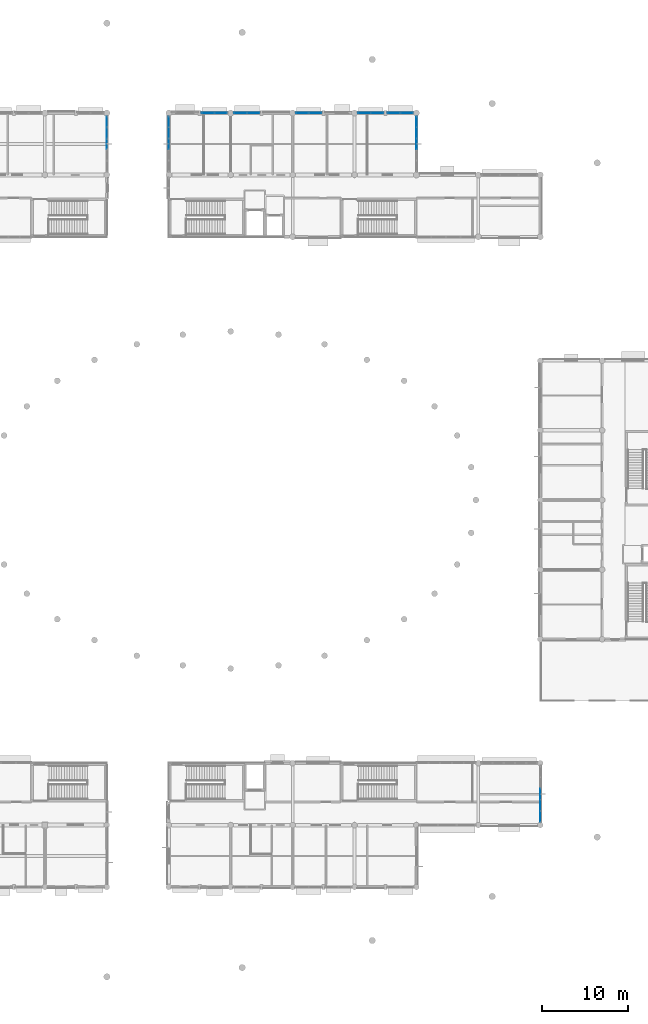
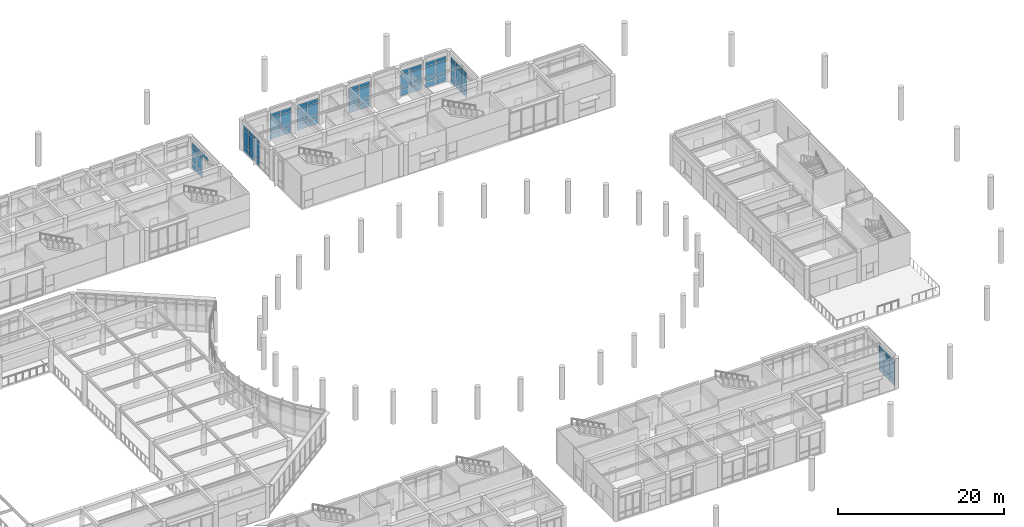
# One storey, part 43 of 92: 64 plates, 9 elements without a shape of their own.
"""IFC4 building model written with IfcOpenShell, lengths in metres."""

from ifc_helpers import new_model, si_unit, direction, frame, origin, origin_2d, place, context, subcontext, project, spatial, rectangle, extrude, material, layer, layer_set, type_object, element, aggregate, save


model = new_model("IFC4")

# Units and contexts
model_context = context("Model", 3, precision=1e-05, world=origin(), true_north=direction((0.0, 1.0)))
body_context = subcontext(model_context, "Body", "Model", "MODEL_VIEW")
ifc_project = project(units=[si_unit("LENGTHUNIT", "METRE"), si_unit("AREAUNIT", "SQUARE_METRE"), si_unit("VOLUMEUNIT", "CUBIC_METRE"), si_unit("PLANEANGLEUNIT", "RADIAN"), si_unit("MASSUNIT", "GRAM", prefix="KILO")], contexts=[model_context])

# Site, building, storey
site_placement = place(None, origin())
site = spatial("IfcSite", under=ifc_project, at=site_placement, CompositionType="ELEMENT")
building_placement = place(site_placement, origin())
building = spatial("IfcBuilding", under=site, at=building_placement, Name="Namkhue Oval Health Centre", CompositionType="ELEMENT")
storey_placement = place(building_placement, frame((0.0, 0.0, 4.800048828125)))
storey = spatial("IfcBuildingStorey", under=building, at=storey_placement, Name="L01", CompositionType="ELEMENT", Elevation=4.800048828125)

# Curtain wall, plates
ifc_material_1 = material(Name="Anodised aluminium EN AW-6063 T6", Category="aluminium")
ifc_layer_1 = layer(ifc_material_1, 0.159912109375)
ifc_layer_set_1 = layer_set([ifc_layer_1], Name="Anodised aluminium EN AW-6063 T6")
curtain_wall_type_1 = type_object("IfcCurtainWallType", Name="UNITISED CURTAIN WALL M1500", PredefinedType="NOTDEFINED", material=ifc_layer_set_1)
curtain_wall_1_placement = place(storey_placement, origin())
curtain_wall_1 = element("IfcCurtainWall", 1, at=curtain_wall_1_placement, inside=storey, type_object=curtain_wall_type_1, Name="Volume V3 L01 Unitised Curtain Wall 105", PredefinedType="NOTDEFINED")
ifc_material_2 = material(Name="Thermally broken low-E laminated double glazing", Category="glass")
ifc_layer_2 = layer(ifc_material_2, 0.02587890625)
ifc_layer_set_2 = layer_set([ifc_layer_2], Name="Thermally broken low-E laminated double glazing")
plate_type_1 = type_object("IfcPlateType", Name="CURTAIN WALL GLAZED PANEL 26", PredefinedType="CURTAIN_PANEL", material=ifc_layer_set_2)
plate_1_placement = place(storey_placement, frame((117.834228515625, 104.39990234375, 0.06494140625), z_axis=(0.0, 0.0, 1.0), x_axis=(-1.0, 0.0, 0.0)))
plate_1 = element("IfcPlate", 2, at=plate_1_placement, type_object=plate_type_1, Name="CW-03 panel 1.1", PredefinedType="CURTAIN_PANEL", context=body_context, shape_type="SweptSolid", body=[
    extrude(rectangle(XDim=1.429443359375, YDim=0.02587890625, at=origin_2d()), origin(), (0.0, 0.0, 1.0), 0.802490234375),
])
plate_2_placement = place(storey_placement, frame((117.834228515625, 104.39990234375, 0.9326171875), z_axis=(0.0, 0.0, 1.0), x_axis=(-1.0, 0.0, 0.0)))
plate_2 = element("IfcPlate", 3, at=plate_2_placement, type_object=plate_type_1, Name="CW-03 panel 1.2", PredefinedType="CURTAIN_PANEL", context=body_context, shape_type="SweptSolid", body=[
    extrude(rectangle(XDim=1.429443359375, YDim=0.02587890625, at=origin_2d()), origin(), (0.0, 0.0, 1.0), 2.264892578125),
])
plate_3_placement = place(storey_placement, frame((117.834228515625, 104.39990234375, 3.2626953125), z_axis=(0.0, 0.0, 1.0), x_axis=(-1.0, 0.0, 0.0)))
plate_3 = element("IfcPlate", 4, at=plate_3_placement, type_object=plate_type_1, Name="CW-03 panel 1.3", PredefinedType="CURTAIN_PANEL", context=body_context, shape_type="SweptSolid", body=[
    extrude(rectangle(XDim=1.429443359375, YDim=0.02587890625, at=origin_2d()), origin(), (0.0, 0.0, 1.0), 0.552490234375),
])
plate_4_placement = place(storey_placement, frame((116.33984375, 104.39990234375, 0.06494140625), z_axis=(0.0, 0.0, 1.0), x_axis=(-1.0, 0.0, 0.0)))
plate_4 = element("IfcPlate", 5, at=plate_4_placement, type_object=plate_type_1, Name="CW-03 panel 2.1", PredefinedType="CURTAIN_PANEL", context=body_context, shape_type="SweptSolid", body=[
    extrude(rectangle(XDim=1.429443359375, YDim=0.02587890625, at=origin_2d()), origin(), (0.0, 0.0, 1.0), 0.802490234375),
])
plate_5_placement = place(storey_placement, frame((116.33984375, 104.39990234375, 0.9326171875), z_axis=(0.0, 0.0, 1.0), x_axis=(-1.0, 0.0, 0.0)))
plate_5 = element("IfcPlate", 6, at=plate_5_placement, type_object=plate_type_1, Name="CW-03 panel 2.2", PredefinedType="CURTAIN_PANEL", context=body_context, shape_type="SweptSolid", body=[
    extrude(rectangle(XDim=1.429443359375, YDim=0.02587890625, at=origin_2d()), origin(), (0.0, 0.0, 1.0), 2.264892578125),
])
plate_6_placement = place(storey_placement, frame((116.33984375, 104.39990234375, 3.2626953125), z_axis=(0.0, 0.0, 1.0), x_axis=(-1.0, 0.0, 0.0)))
plate_6 = element("IfcPlate", 7, at=plate_6_placement, type_object=plate_type_1, Name="CW-03 panel 2.3", PredefinedType="CURTAIN_PANEL", context=body_context, shape_type="SweptSolid", body=[
    extrude(rectangle(XDim=1.429443359375, YDim=0.02587890625, at=origin_2d()), origin(), (0.0, 0.0, 1.0), 0.552490234375),
])
aggregate(curtain_wall_1, [plate_1, plate_2, plate_3, plate_4, plate_5, plate_6])

ifc_layer_3 = layer(ifc_material_1, 0.159912109375)
ifc_layer_set_3 = layer_set([ifc_layer_3], Name="Anodised aluminium EN AW-6063 T6")
curtain_wall_type_2 = type_object("IfcCurtainWallType", Name="UNITISED CURTAIN WALL M1200", PredefinedType="NOTDEFINED", material=ifc_layer_set_3)
curtain_wall_2_placement = place(storey_placement, origin())
curtain_wall_2 = element("IfcCurtainWall", 8, at=curtain_wall_2_placement, inside=storey, type_object=curtain_wall_type_2, Name="Volume V3 L01 Unitised Curtain Wall 109", PredefinedType="NOTDEFINED")
plate_7_placement = place(storey_placement, frame((93.60009765625, 103.375732421875, 0.06494140625), z_axis=(0.0, 0.0, 1.0), x_axis=(0.0, -1.0, 0.0)))
plate_7 = element("IfcPlate", 9, at=plate_7_placement, type_object=plate_type_1, Name="CW-01 panel 1.1", PredefinedType="CURTAIN_PANEL", context=body_context, shape_type="SweptSolid", body=[
    extrude(rectangle(XDim=1.198486328125, YDim=0.02587890625, at=origin_2d()), origin(), (0.0, 0.0, 1.0), 0.802490234375),
])
plate_8_placement = place(storey_placement, frame((93.60009765625, 103.375732421875, 0.9326171875), z_axis=(0.0, 0.0, 1.0), x_axis=(0.0, -1.0, 0.0)))
plate_8 = element("IfcPlate", 10, at=plate_8_placement, type_object=plate_type_1, Name="CW-01 panel 1.2", PredefinedType="CURTAIN_PANEL", context=body_context, shape_type="SweptSolid", body=[
    extrude(rectangle(XDim=1.198486328125, YDim=0.02587890625, at=origin_2d()), origin(), (0.0, 0.0, 1.0), 2.264892578125),
])
plate_9_placement = place(storey_placement, frame((93.60009765625, 103.375732421875, 3.2626953125), z_axis=(0.0, 0.0, 1.0), x_axis=(0.0, -1.0, 0.0)))
plate_9 = element("IfcPlate", 11, at=plate_9_placement, type_object=plate_type_1, Name="CW-01 panel 1.3", PredefinedType="CURTAIN_PANEL", context=body_context, shape_type="SweptSolid", body=[
    extrude(rectangle(XDim=1.198486328125, YDim=0.02587890625, at=origin_2d()), origin(), (0.0, 0.0, 1.0), 0.552490234375),
])
plate_10_placement = place(storey_placement, frame((93.60009765625, 102.095947265625, 0.06494140625), z_axis=(0.0, 0.0, 1.0), x_axis=(0.0, -1.0, 0.0)))
plate_10 = element("IfcPlate", 12, at=plate_10_placement, type_object=plate_type_1, Name="CW-01 panel 2.1", PredefinedType="CURTAIN_PANEL", context=body_context, shape_type="SweptSolid", body=[
    extrude(rectangle(XDim=1.23095703125, YDim=0.02587890625, at=origin_2d()), origin(), (0.0, 0.0, 1.0), 0.802490234375),
])
plate_11_placement = place(storey_placement, frame((93.60009765625, 102.095947265625, 0.9326171875), z_axis=(0.0, 0.0, 1.0), x_axis=(0.0, -1.0, 0.0)))
plate_11 = element("IfcPlate", 13, at=plate_11_placement, type_object=plate_type_1, Name="CW-01 panel 2.2", PredefinedType="CURTAIN_PANEL", context=body_context, shape_type="SweptSolid", body=[
    extrude(rectangle(XDim=1.23095703125, YDim=0.02587890625, at=origin_2d()), origin(), (0.0, 0.0, 1.0), 2.264892578125),
])
plate_12_placement = place(storey_placement, frame((93.60009765625, 102.095947265625, 3.2626953125), z_axis=(0.0, 0.0, 1.0), x_axis=(0.0, -1.0, 0.0)))
plate_12 = element("IfcPlate", 14, at=plate_12_placement, type_object=plate_type_1, Name="CW-01 panel 2.3", PredefinedType="CURTAIN_PANEL", context=body_context, shape_type="SweptSolid", body=[
    extrude(rectangle(XDim=1.23095703125, YDim=0.02587890625, at=origin_2d()), origin(), (0.0, 0.0, 1.0), 0.552490234375),
])
plate_13_placement = place(storey_placement, frame((93.60009765625, 100.800048828125, 0.06494140625), z_axis=(0.0, 0.0, 1.0), x_axis=(0.0, -1.0, 0.0)))
plate_13 = element("IfcPlate", 15, at=plate_13_placement, type_object=plate_type_1, Name="CW-01 panel 3.1", PredefinedType="CURTAIN_PANEL", context=body_context, shape_type="SweptSolid", body=[
    extrude(rectangle(XDim=1.23095703125, YDim=0.02587890625, at=origin_2d()), origin(), (0.0, 0.0, 1.0), 0.802490234375),
])
plate_14_placement = place(storey_placement, frame((93.60009765625, 100.800048828125, 0.9326171875), z_axis=(0.0, 0.0, 1.0), x_axis=(0.0, -1.0, 0.0)))
plate_14 = element("IfcPlate", 16, at=plate_14_placement, type_object=plate_type_1, Name="CW-01 panel 3.2", PredefinedType="CURTAIN_PANEL", context=body_context, shape_type="SweptSolid", body=[
    extrude(rectangle(XDim=1.23095703125, YDim=0.02587890625, at=origin_2d()), origin(), (0.0, 0.0, 1.0), 2.264892578125),
])
plate_15_placement = place(storey_placement, frame((93.60009765625, 100.800048828125, 3.2626953125), z_axis=(0.0, 0.0, 1.0), x_axis=(0.0, -1.0, 0.0)))
plate_15 = element("IfcPlate", 17, at=plate_15_placement, type_object=plate_type_1, Name="CW-01 panel 3.3", PredefinedType="CURTAIN_PANEL", context=body_context, shape_type="SweptSolid", body=[
    extrude(rectangle(XDim=1.23095703125, YDim=0.02587890625, at=origin_2d()), origin(), (0.0, 0.0, 1.0), 0.552490234375),
])
aggregate(curtain_wall_2, [plate_7, plate_8, plate_9, plate_10, plate_11, plate_12, plate_13, plate_14, plate_15])

curtain_wall_3_placement = place(storey_placement, origin())
curtain_wall_3 = element("IfcCurtainWall", 18, at=curtain_wall_3_placement, inside=storey, type_object=curtain_wall_type_2, Name="Volume V5 L01 Unitised Curtain Wall 193", PredefinedType="NOTDEFINED")
plate_16_placement = place(storey_placement, frame((136.800048828125, 22.604248046875, 0.06494140625), z_axis=(0.0, 0.0, 1.0), x_axis=(0.0, 1.0, 0.0)))
plate_16 = element("IfcPlate", 19, at=plate_16_placement, type_object=plate_type_1, Name="CW-01 panel 1.1", PredefinedType="CURTAIN_PANEL", context=body_context, shape_type="SweptSolid", body=[
    extrude(rectangle(XDim=1.20849609375, YDim=0.02587890625, at=origin_2d()), origin(), (0.0, 0.0, 1.0), 0.802490234375),
])
plate_17_placement = place(storey_placement, frame((136.800048828125, 22.604248046875, 0.932373046875), z_axis=(0.0, 0.0, 1.0), x_axis=(0.0, 1.0, 0.0)))
plate_17 = element("IfcPlate", 20, at=plate_17_placement, type_object=plate_type_1, Name="CW-01 panel 1.2", PredefinedType="CURTAIN_PANEL", context=body_context, shape_type="SweptSolid", body=[
    extrude(rectangle(XDim=1.20849609375, YDim=0.02587890625, at=origin_2d()), origin(), (0.0, 0.0, 1.0), 2.27294921875),
])
plate_18_placement = place(storey_placement, frame((136.800048828125, 22.604248046875, 3.2705078125), z_axis=(0.0, 0.0, 1.0), x_axis=(0.0, 1.0, 0.0)))
plate_18 = element("IfcPlate", 21, at=plate_18_placement, type_object=plate_type_1, Name="CW-01 panel 1.3", PredefinedType="CURTAIN_PANEL", context=body_context, shape_type="SweptSolid", body=[
    extrude(rectangle(XDim=1.20849609375, YDim=0.02587890625, at=origin_2d()), origin(), (0.0, 0.0, 1.0), 0.552490234375),
])
plate_19_placement = place(storey_placement, frame((136.800048828125, 23.89404296875, 0.06494140625), z_axis=(0.0, 0.0, 1.0), x_axis=(0.0, 1.0, 0.0)))
plate_19 = element("IfcPlate", 22, at=plate_19_placement, type_object=plate_type_1, Name="CW-01 panel 2.1", PredefinedType="CURTAIN_PANEL", context=body_context, shape_type="SweptSolid", body=[
    extrude(rectangle(XDim=1.240966796875, YDim=0.02587890625, at=origin_2d()), origin(), (0.0, 0.0, 1.0), 0.802490234375),
])
plate_20_placement = place(storey_placement, frame((136.800048828125, 23.89404296875, 0.932373046875), z_axis=(0.0, 0.0, 1.0), x_axis=(0.0, 1.0, 0.0)))
plate_20 = element("IfcPlate", 23, at=plate_20_placement, type_object=plate_type_1, Name="CW-01 panel 2.2", PredefinedType="CURTAIN_PANEL", context=body_context, shape_type="SweptSolid", body=[
    extrude(rectangle(XDim=1.240966796875, YDim=0.02587890625, at=origin_2d()), origin(), (0.0, 0.0, 1.0), 2.27294921875),
])
plate_21_placement = place(storey_placement, frame((136.800048828125, 23.89404296875, 3.2705078125), z_axis=(0.0, 0.0, 1.0), x_axis=(0.0, 1.0, 0.0)))
plate_21 = element("IfcPlate", 24, at=plate_21_placement, type_object=plate_type_1, Name="CW-01 panel 2.3", PredefinedType="CURTAIN_PANEL", context=body_context, shape_type="SweptSolid", body=[
    extrude(rectangle(XDim=1.240966796875, YDim=0.02587890625, at=origin_2d()), origin(), (0.0, 0.0, 1.0), 0.552490234375),
])
plate_22_placement = place(storey_placement, frame((136.800048828125, 25.199951171875, 0.06494140625), z_axis=(0.0, 0.0, 1.0), x_axis=(0.0, 1.0, 0.0)))
plate_22 = element("IfcPlate", 25, at=plate_22_placement, type_object=plate_type_1, Name="CW-01 panel 3.1", PredefinedType="CURTAIN_PANEL", context=body_context, shape_type="SweptSolid", body=[
    extrude(rectangle(XDim=1.240966796875, YDim=0.02587890625, at=origin_2d()), origin(), (0.0, 0.0, 1.0), 0.802490234375),
])
plate_23_placement = place(storey_placement, frame((136.800048828125, 25.199951171875, 0.932373046875), z_axis=(0.0, 0.0, 1.0), x_axis=(0.0, 1.0, 0.0)))
plate_23 = element("IfcPlate", 26, at=plate_23_placement, type_object=plate_type_1, Name="CW-01 panel 3.2", PredefinedType="CURTAIN_PANEL", context=body_context, shape_type="SweptSolid", body=[
    extrude(rectangle(XDim=1.240966796875, YDim=0.02587890625, at=origin_2d()), origin(), (0.0, 0.0, 1.0), 2.27294921875),
])
plate_24_placement = place(storey_placement, frame((136.800048828125, 25.199951171875, 3.2705078125), z_axis=(0.0, 0.0, 1.0), x_axis=(0.0, 1.0, 0.0)))
plate_24 = element("IfcPlate", 27, at=plate_24_placement, type_object=plate_type_1, Name="CW-01 panel 3.3", PredefinedType="CURTAIN_PANEL", context=body_context, shape_type="SweptSolid", body=[
    extrude(rectangle(XDim=1.240966796875, YDim=0.02587890625, at=origin_2d()), origin(), (0.0, 0.0, 1.0), 0.552490234375),
])
aggregate(curtain_wall_3, [plate_16, plate_17, plate_18, plate_19, plate_20, plate_21, plate_22, plate_23, plate_24])

ifc_layer_4 = layer(ifc_material_1, 0.159912109375)
ifc_layer_set_4 = layer_set([ifc_layer_4], Name="Anodised aluminium EN AW-6063 T6")
curtain_wall_type_3 = type_object("IfcCurtainWallType", Name="UNITISED CURTAIN WALL M1350", PredefinedType="NOTDEFINED", material=ifc_layer_set_4)
curtain_wall_4_placement = place(storey_placement, origin())
curtain_wall_4 = element("IfcCurtainWall", 28, at=curtain_wall_4_placement, inside=storey, type_object=curtain_wall_type_3, Name="Volume V2 L01 Unitised Curtain Wall 50", PredefinedType="NOTDEFINED")
ifc_layer_5 = layer(ifc_material_2, 0.028076171875)
ifc_layer_set_5 = layer_set([ifc_layer_5], Name="Thermally broken low-E laminated double glazing")
plate_type_2 = type_object("IfcPlateType", Name="CURTAIN WALL GLAZED PANEL 28", PredefinedType="CURTAIN_PANEL", material=ifc_layer_set_5)
plate_25_placement = place(storey_placement, frame((86.39990234375, 100.800048828125, 3.29248046875), z_axis=(0.0, 0.0, 1.0), x_axis=(0.0, 1.0, 0.0)))
plate_25 = element("IfcPlate", 29, at=plate_25_placement, type_object=plate_type_2, Name="CW-02 panel 3.3", PredefinedType="CURTAIN_PANEL", context=body_context, shape_type="SweptSolid", body=[
    extrude(rectangle(XDim=1.220947265625, YDim=0.028076171875, at=origin_2d()), origin(), (0.0, 0.0, 1.0), 0.53759765625),
])
plate_26_placement = place(storey_placement, frame((86.39990234375, 102.095947265625, 0.074951171875), z_axis=(0.0, 0.0, 1.0), x_axis=(0.0, 1.0, 0.0)))
plate_26 = element("IfcPlate", 30, at=plate_26_placement, type_object=plate_type_2, Name="CW-02 panel 4.1", PredefinedType="CURTAIN_PANEL", context=body_context, shape_type="SweptSolid", body=[
    extrude(rectangle(XDim=1.220947265625, YDim=0.028076171875, at=origin_2d()), origin(), (0.0, 0.0, 1.0), 0.78759765625),
])
plate_27_placement = place(storey_placement, frame((86.39990234375, 102.095947265625, 0.9375), z_axis=(0.0, 0.0, 1.0), x_axis=(0.0, 1.0, 0.0)))
plate_27 = element("IfcPlate", 31, at=plate_27_placement, type_object=plate_type_2, Name="CW-02 panel 4.2", PredefinedType="CURTAIN_PANEL", context=body_context, shape_type="SweptSolid", body=[
    extrude(rectangle(XDim=1.220947265625, YDim=0.028076171875, at=origin_2d()), origin(), (0.0, 0.0, 1.0), 2.280029296875),
])
plate_28_placement = place(storey_placement, frame((86.39990234375, 102.095947265625, 3.29248046875), z_axis=(0.0, 0.0, 1.0), x_axis=(0.0, 1.0, 0.0)))
plate_28 = element("IfcPlate", 32, at=plate_28_placement, type_object=plate_type_2, Name="CW-02 panel 4.3", PredefinedType="CURTAIN_PANEL", context=body_context, shape_type="SweptSolid", body=[
    extrude(rectangle(XDim=1.220947265625, YDim=0.028076171875, at=origin_2d()), origin(), (0.0, 0.0, 1.0), 0.53759765625),
])
plate_29_placement = place(storey_placement, frame((86.39990234375, 103.373291015625, 0.074951171875), z_axis=(0.0, 0.0, 1.0), x_axis=(0.0, 1.0, 0.0)))
plate_29 = element("IfcPlate", 33, at=plate_29_placement, type_object=plate_type_2, Name="CW-02 panel 5.1", PredefinedType="CURTAIN_PANEL", context=body_context, shape_type="SweptSolid", body=[
    extrude(rectangle(XDim=1.18359375, YDim=0.028076171875, at=origin_2d()), origin(), (0.0, 0.0, 1.0), 0.78759765625),
])
plate_30_placement = place(storey_placement, frame((86.39990234375, 103.373291015625, 0.9375), z_axis=(0.0, 0.0, 1.0), x_axis=(0.0, 1.0, 0.0)))
plate_30 = element("IfcPlate", 34, at=plate_30_placement, type_object=plate_type_2, Name="CW-02 panel 5.2", PredefinedType="CURTAIN_PANEL", context=body_context, shape_type="SweptSolid", body=[
    extrude(rectangle(XDim=1.18359375, YDim=0.028076171875, at=origin_2d()), origin(), (0.0, 0.0, 1.0), 2.280029296875),
])
plate_31_placement = place(storey_placement, frame((86.39990234375, 103.373291015625, 3.29248046875), z_axis=(0.0, 0.0, 1.0), x_axis=(0.0, 1.0, 0.0)))
plate_31 = element("IfcPlate", 35, at=plate_31_placement, type_object=plate_type_2, Name="CW-02 panel 5.3", PredefinedType="CURTAIN_PANEL", context=body_context, shape_type="SweptSolid", body=[
    extrude(rectangle(XDim=1.18359375, YDim=0.028076171875, at=origin_2d()), origin(), (0.0, 0.0, 1.0), 0.53759765625),
])
aggregate(curtain_wall_4, [plate_25, plate_26, plate_27, plate_28, plate_29, plate_30, plate_31])

ifc_layer_6 = layer(ifc_material_1, 0.159912109375)
ifc_layer_set_6 = layer_set([ifc_layer_6], Name="Anodised aluminium EN AW-6063 T6")
curtain_wall_type_4 = type_object("IfcCurtainWallType", Name="UNITISED CURTAIN WALL M1600", PredefinedType="NOTDEFINED", material=ifc_layer_set_6)
curtain_wall_5_placement = place(storey_placement, origin())
curtain_wall_5 = element("IfcCurtainWall", 36, at=curtain_wall_5_placement, inside=storey, type_object=curtain_wall_type_4, Name="Volume V3 L01 Unitised Curtain Wall 106", PredefinedType="NOTDEFINED")
plate_32_placement = place(storey_placement, frame((110.6318359375, 104.39990234375, 0.074951171875), z_axis=(0.0, 0.0, 1.0), x_axis=(-1.0, 0.0, 0.0)))
plate_32 = element("IfcPlate", 37, at=plate_32_placement, type_object=plate_type_2, Name="CW-04 panel 1.1", PredefinedType="CURTAIN_PANEL", context=body_context, shape_type="SweptSolid", body=[
    extrude(rectangle(XDim=1.41455078125, YDim=0.028076171875, at=origin_2d()), origin(), (0.0, 0.0, 1.0), 0.78759765625),
])
plate_33_placement = place(storey_placement, frame((110.6318359375, 104.39990234375, 0.9375), z_axis=(0.0, 0.0, 1.0), x_axis=(-1.0, 0.0, 0.0)))
plate_33 = element("IfcPlate", 38, at=plate_33_placement, type_object=plate_type_2, Name="CW-04 panel 1.2", PredefinedType="CURTAIN_PANEL", context=body_context, shape_type="SweptSolid", body=[
    extrude(rectangle(XDim=1.41455078125, YDim=0.028076171875, at=origin_2d()), origin(), (0.0, 0.0, 1.0), 2.2548828125),
])
plate_34_placement = place(storey_placement, frame((110.6318359375, 104.39990234375, 3.267333984375), z_axis=(0.0, 0.0, 1.0), x_axis=(-1.0, 0.0, 0.0)))
plate_34 = element("IfcPlate", 39, at=plate_34_placement, type_object=plate_type_2, Name="CW-04 panel 1.3", PredefinedType="CURTAIN_PANEL", context=body_context, shape_type="SweptSolid", body=[
    extrude(rectangle(XDim=1.41455078125, YDim=0.028076171875, at=origin_2d()), origin(), (0.0, 0.0, 1.0), 0.53759765625),
])
plate_35_placement = place(storey_placement, frame((109.142333984375, 104.39990234375, 0.074951171875), z_axis=(0.0, 0.0, 1.0), x_axis=(-1.0, 0.0, 0.0)))
plate_35 = element("IfcPlate", 40, at=plate_35_placement, type_object=plate_type_2, Name="CW-04 panel 2.1", PredefinedType="CURTAIN_PANEL", context=body_context, shape_type="SweptSolid", body=[
    extrude(rectangle(XDim=1.41455078125, YDim=0.028076171875, at=origin_2d()), origin(), (0.0, 0.0, 1.0), 0.78759765625),
])
plate_36_placement = place(storey_placement, frame((109.142333984375, 104.39990234375, 0.9375), z_axis=(0.0, 0.0, 1.0), x_axis=(-1.0, 0.0, 0.0)))
plate_36 = element("IfcPlate", 41, at=plate_36_placement, type_object=plate_type_2, Name="CW-04 panel 2.2", PredefinedType="CURTAIN_PANEL", context=body_context, shape_type="SweptSolid", body=[
    extrude(rectangle(XDim=1.41455078125, YDim=0.028076171875, at=origin_2d()), origin(), (0.0, 0.0, 1.0), 2.2548828125),
])
plate_37_placement = place(storey_placement, frame((109.142333984375, 104.39990234375, 3.267333984375), z_axis=(0.0, 0.0, 1.0), x_axis=(-1.0, 0.0, 0.0)))
plate_37 = element("IfcPlate", 42, at=plate_37_placement, type_object=plate_type_2, Name="CW-04 panel 2.3", PredefinedType="CURTAIN_PANEL", context=body_context, shape_type="SweptSolid", body=[
    extrude(rectangle(XDim=1.41455078125, YDim=0.028076171875, at=origin_2d()), origin(), (0.0, 0.0, 1.0), 0.53759765625),
])
aggregate(curtain_wall_5, [plate_32, plate_33, plate_34, plate_35, plate_36, plate_37])

curtain_wall_6_placement = place(storey_placement, origin())
curtain_wall_6 = element("IfcCurtainWall", 43, at=curtain_wall_6_placement, inside=storey, type_object=curtain_wall_type_2, Name="Volume V3 L01 Unitised Curtain Wall 103", PredefinedType="NOTDEFINED")
ifc_material_3 = material(Name="Insulated anodised aluminium spandrel panel", Category="aluminium")
ifc_layer_7 = layer(ifc_material_3, 0.031982421875)
ifc_layer_set_7 = layer_set([ifc_layer_7], Name="Insulated anodised aluminium spandrel panel")
plate_type_3 = type_object("IfcPlateType", Name="CURTAIN WALL SPANDREL PANEL 32", PredefinedType="CURTAIN_PANEL", material=ifc_layer_set_7)
plate_38_placement = place(storey_placement, frame((122.39990234375, 100.800048828125, 0.06494140625), z_axis=(0.0, 0.0, 1.0), x_axis=(0.0, 1.0, 0.0)))
plate_38 = element("IfcPlate", 44, at=plate_38_placement, type_object=plate_type_3, Name="CW-01 panel 3.1", PredefinedType="CURTAIN_PANEL", context=body_context, shape_type="SweptSolid", body=[
    extrude(rectangle(XDim=1.23095703125, YDim=0.031982421875, at=origin_2d()), origin(), (0.0, 0.0, 1.0), 0.802490234375),
])
plate_39_placement = place(storey_placement, frame((122.39990234375, 100.800048828125, 0.9326171875), z_axis=(0.0, 0.0, 1.0), x_axis=(0.0, 1.0, 0.0)))
plate_39 = element("IfcPlate", 45, at=plate_39_placement, type_object=plate_type_3, Name="CW-01 panel 3.2", PredefinedType="CURTAIN_PANEL", context=body_context, shape_type="SweptSolid", body=[
    extrude(rectangle(XDim=1.23095703125, YDim=0.031982421875, at=origin_2d()), origin(), (0.0, 0.0, 1.0), 2.264892578125),
])
plate_40_placement = place(storey_placement, frame((122.39990234375, 100.800048828125, 3.2626953125), z_axis=(0.0, 0.0, 1.0), x_axis=(0.0, 1.0, 0.0)))
plate_40 = element("IfcPlate", 46, at=plate_40_placement, type_object=plate_type_3, Name="CW-01 panel 3.3", PredefinedType="CURTAIN_PANEL", context=body_context, shape_type="SweptSolid", body=[
    extrude(rectangle(XDim=1.23095703125, YDim=0.031982421875, at=origin_2d()), origin(), (0.0, 0.0, 1.0), 0.552490234375),
])
plate_41_placement = place(storey_placement, frame((122.39990234375, 102.095947265625, 0.06494140625), z_axis=(0.0, 0.0, 1.0), x_axis=(0.0, 1.0, 0.0)))
plate_41 = element("IfcPlate", 47, at=plate_41_placement, type_object=plate_type_3, Name="CW-01 panel 4.1", PredefinedType="CURTAIN_PANEL", context=body_context, shape_type="SweptSolid", body=[
    extrude(rectangle(XDim=1.23095703125, YDim=0.031982421875, at=origin_2d()), origin(), (0.0, 0.0, 1.0), 0.802490234375),
])
plate_42_placement = place(storey_placement, frame((122.39990234375, 102.095947265625, 0.9326171875), z_axis=(0.0, 0.0, 1.0), x_axis=(0.0, 1.0, 0.0)))
plate_42 = element("IfcPlate", 48, at=plate_42_placement, type_object=plate_type_3, Name="CW-01 panel 4.2", PredefinedType="CURTAIN_PANEL", context=body_context, shape_type="SweptSolid", body=[
    extrude(rectangle(XDim=1.23095703125, YDim=0.031982421875, at=origin_2d()), origin(), (0.0, 0.0, 1.0), 2.264892578125),
])
plate_43_placement = place(storey_placement, frame((122.39990234375, 102.095947265625, 3.2626953125), z_axis=(0.0, 0.0, 1.0), x_axis=(0.0, 1.0, 0.0)))
plate_43 = element("IfcPlate", 49, at=plate_43_placement, type_object=plate_type_3, Name="CW-01 panel 4.3", PredefinedType="CURTAIN_PANEL", context=body_context, shape_type="SweptSolid", body=[
    extrude(rectangle(XDim=1.23095703125, YDim=0.031982421875, at=origin_2d()), origin(), (0.0, 0.0, 1.0), 0.552490234375),
])
plate_44_placement = place(storey_placement, frame((122.39990234375, 103.375732421875, 0.06494140625), z_axis=(0.0, 0.0, 1.0), x_axis=(0.0, 1.0, 0.0)))
plate_44 = element("IfcPlate", 50, at=plate_44_placement, type_object=plate_type_3, Name="CW-01 panel 5.1", PredefinedType="CURTAIN_PANEL", context=body_context, shape_type="SweptSolid", body=[
    extrude(rectangle(XDim=1.198486328125, YDim=0.031982421875, at=origin_2d()), origin(), (0.0, 0.0, 1.0), 0.802490234375),
])
plate_45_placement = place(storey_placement, frame((122.39990234375, 103.375732421875, 0.9326171875), z_axis=(0.0, 0.0, 1.0), x_axis=(0.0, 1.0, 0.0)))
plate_45 = element("IfcPlate", 51, at=plate_45_placement, type_object=plate_type_3, Name="CW-01 panel 5.2", PredefinedType="CURTAIN_PANEL", context=body_context, shape_type="SweptSolid", body=[
    extrude(rectangle(XDim=1.198486328125, YDim=0.031982421875, at=origin_2d()), origin(), (0.0, 0.0, 1.0), 2.264892578125),
])
plate_46_placement = place(storey_placement, frame((122.39990234375, 103.375732421875, 3.2626953125), z_axis=(0.0, 0.0, 1.0), x_axis=(0.0, 1.0, 0.0)))
plate_46 = element("IfcPlate", 52, at=plate_46_placement, type_object=plate_type_3, Name="CW-01 panel 5.3", PredefinedType="CURTAIN_PANEL", context=body_context, shape_type="SweptSolid", body=[
    extrude(rectangle(XDim=1.198486328125, YDim=0.031982421875, at=origin_2d()), origin(), (0.0, 0.0, 1.0), 0.552490234375),
])
aggregate(curtain_wall_6, [plate_38, plate_39, plate_40, plate_41, plate_42, plate_43, plate_44, plate_45, plate_46])

ifc_layer_8 = layer(ifc_material_1, 0.159912109375)
ifc_layer_set_8 = layer_set([ifc_layer_8], Name="Anodised aluminium EN AW-6063 T6")
curtain_wall_type_5 = type_object("IfcCurtainWallType", Name="UNITISED CURTAIN WALL M1800", PredefinedType="NOTDEFINED", material=ifc_layer_set_8)
curtain_wall_7_placement = place(storey_placement, origin())
curtain_wall_7 = element("IfcCurtainWall", 53, at=curtain_wall_7_placement, inside=storey, type_object=curtain_wall_type_5, Name="Volume V3 L01 Unitised Curtain Wall 107", PredefinedType="NOTDEFINED")
plate_47_placement = place(storey_placement, frame((103.434326171875, 104.39990234375, 0.06494140625), z_axis=(0.0, 0.0, 1.0), x_axis=(-1.0, 0.0, 0.0)))
plate_47 = element("IfcPlate", 54, at=plate_47_placement, type_object=plate_type_3, Name="CW-05 panel 1.1", PredefinedType="CURTAIN_PANEL", context=body_context, shape_type="SweptSolid", body=[
    extrude(rectangle(XDim=1.429443359375, YDim=0.031982421875, at=origin_2d()), origin(), (0.0, 0.0, 1.0), 0.802490234375),
])
plate_48_placement = place(storey_placement, frame((103.434326171875, 104.39990234375, 0.9326171875), z_axis=(0.0, 0.0, 1.0), x_axis=(-1.0, 0.0, 0.0)))
plate_48 = element("IfcPlate", 55, at=plate_48_placement, type_object=plate_type_3, Name="CW-05 panel 1.2", PredefinedType="CURTAIN_PANEL", context=body_context, shape_type="SweptSolid", body=[
    extrude(rectangle(XDim=1.429443359375, YDim=0.031982421875, at=origin_2d()), origin(), (0.0, 0.0, 1.0), 2.264892578125),
])
plate_49_placement = place(storey_placement, frame((103.434326171875, 104.39990234375, 3.2626953125), z_axis=(0.0, 0.0, 1.0), x_axis=(-1.0, 0.0, 0.0)))
plate_49 = element("IfcPlate", 56, at=plate_49_placement, type_object=plate_type_3, Name="CW-05 panel 1.3", PredefinedType="CURTAIN_PANEL", context=body_context, shape_type="SweptSolid", body=[
    extrude(rectangle(XDim=1.429443359375, YDim=0.031982421875, at=origin_2d()), origin(), (0.0, 0.0, 1.0), 0.552490234375),
])
plate_50_placement = place(storey_placement, frame((101.939697265625, 104.39990234375, 0.06494140625), z_axis=(0.0, 0.0, 1.0), x_axis=(-1.0, 0.0, 0.0)))
plate_50 = element("IfcPlate", 57, at=plate_50_placement, type_object=plate_type_3, Name="CW-05 panel 2.1", PredefinedType="CURTAIN_PANEL", context=body_context, shape_type="SweptSolid", body=[
    extrude(rectangle(XDim=1.429443359375, YDim=0.031982421875, at=origin_2d()), origin(), (0.0, 0.0, 1.0), 0.802490234375),
])
plate_51_placement = place(storey_placement, frame((101.939697265625, 104.39990234375, 0.9326171875), z_axis=(0.0, 0.0, 1.0), x_axis=(-1.0, 0.0, 0.0)))
plate_51 = element("IfcPlate", 58, at=plate_51_placement, type_object=plate_type_3, Name="CW-05 panel 2.2", PredefinedType="CURTAIN_PANEL", context=body_context, shape_type="SweptSolid", body=[
    extrude(rectangle(XDim=1.429443359375, YDim=0.031982421875, at=origin_2d()), origin(), (0.0, 0.0, 1.0), 2.264892578125),
])
plate_52_placement = place(storey_placement, frame((101.939697265625, 104.39990234375, 3.2626953125), z_axis=(0.0, 0.0, 1.0), x_axis=(-1.0, 0.0, 0.0)))
plate_52 = element("IfcPlate", 59, at=plate_52_placement, type_object=plate_type_3, Name="CW-05 panel 2.3", PredefinedType="CURTAIN_PANEL", context=body_context, shape_type="SweptSolid", body=[
    extrude(rectangle(XDim=1.429443359375, YDim=0.031982421875, at=origin_2d()), origin(), (0.0, 0.0, 1.0), 0.552490234375),
])
aggregate(curtain_wall_7, [plate_47, plate_48, plate_49, plate_50, plate_51, plate_52])

curtain_wall_8_placement = place(storey_placement, origin())
curtain_wall_8 = element("IfcCurtainWall", 60, at=curtain_wall_8_placement, inside=storey, type_object=curtain_wall_type_3, Name="Volume V3 L01 Unitised Curtain Wall 104", PredefinedType="NOTDEFINED")
ifc_layer_9 = layer(ifc_material_3, 0.035888671875)
ifc_layer_set_9 = layer_set([ifc_layer_9], Name="Insulated anodised aluminium spandrel panel")
plate_type_4 = type_object("IfcPlateType", Name="CURTAIN WALL SPANDREL PANEL 36", PredefinedType="CURTAIN_PANEL", material=ifc_layer_set_9)
plate_53_placement = place(storey_placement, frame((121.2578125, 104.39990234375, 0.074951171875), z_axis=(0.0, 0.0, 1.0), x_axis=(-1.0, 0.0, 0.0)))
plate_53 = element("IfcPlate", 61, at=plate_53_placement, type_object=plate_type_4, Name="CW-02 panel 1.1", PredefinedType="CURTAIN_PANEL", context=body_context, shape_type="SweptSolid", body=[
    extrude(rectangle(XDim=1.41455078125, YDim=0.035888671875, at=origin_2d()), origin(), (0.0, 0.0, 1.0), 0.78759765625),
])
plate_54_placement = place(storey_placement, frame((121.2578125, 104.39990234375, 0.9375), z_axis=(0.0, 0.0, 1.0), x_axis=(-1.0, 0.0, 0.0)))
plate_54 = element("IfcPlate", 62, at=plate_54_placement, type_object=plate_type_4, Name="CW-02 panel 1.2", PredefinedType="CURTAIN_PANEL", context=body_context, shape_type="SweptSolid", body=[
    extrude(rectangle(XDim=1.41455078125, YDim=0.035888671875, at=origin_2d()), origin(), (0.0, 0.0, 1.0), 2.2548828125),
])
plate_55_placement = place(storey_placement, frame((121.2578125, 104.39990234375, 3.267333984375), z_axis=(0.0, 0.0, 1.0), x_axis=(-1.0, 0.0, 0.0)))
plate_55 = element("IfcPlate", 63, at=plate_55_placement, type_object=plate_type_4, Name="CW-02 panel 1.3", PredefinedType="CURTAIN_PANEL", context=body_context, shape_type="SweptSolid", body=[
    extrude(rectangle(XDim=1.41455078125, YDim=0.035888671875, at=origin_2d()), origin(), (0.0, 0.0, 1.0), 0.53759765625),
])
plate_56_placement = place(storey_placement, frame((119.768310546875, 104.39990234375, 0.074951171875), z_axis=(0.0, 0.0, 1.0), x_axis=(-1.0, 0.0, 0.0)))
plate_56 = element("IfcPlate", 64, at=plate_56_placement, type_object=plate_type_4, Name="CW-02 panel 2.1", PredefinedType="CURTAIN_PANEL", context=body_context, shape_type="SweptSolid", body=[
    extrude(rectangle(XDim=1.41455078125, YDim=0.035888671875, at=origin_2d()), origin(), (0.0, 0.0, 1.0), 0.78759765625),
])
plate_57_placement = place(storey_placement, frame((119.768310546875, 104.39990234375, 0.9375), z_axis=(0.0, 0.0, 1.0), x_axis=(-1.0, 0.0, 0.0)))
plate_57 = element("IfcPlate", 65, at=plate_57_placement, type_object=plate_type_4, Name="CW-02 panel 2.2", PredefinedType="CURTAIN_PANEL", context=body_context, shape_type="SweptSolid", body=[
    extrude(rectangle(XDim=1.41455078125, YDim=0.035888671875, at=origin_2d()), origin(), (0.0, 0.0, 1.0), 2.2548828125),
])
plate_58_placement = place(storey_placement, frame((119.768310546875, 104.39990234375, 3.267333984375), z_axis=(0.0, 0.0, 1.0), x_axis=(-1.0, 0.0, 0.0)))
plate_58 = element("IfcPlate", 66, at=plate_58_placement, type_object=plate_type_4, Name="CW-02 panel 2.3", PredefinedType="CURTAIN_PANEL", context=body_context, shape_type="SweptSolid", body=[
    extrude(rectangle(XDim=1.41455078125, YDim=0.035888671875, at=origin_2d()), origin(), (0.0, 0.0, 1.0), 0.53759765625),
])
aggregate(curtain_wall_8, [plate_53, plate_54, plate_55, plate_56, plate_57, plate_58])

ifc_layer_10 = layer(ifc_material_1, 0.159912109375)
ifc_layer_set_10 = layer_set([ifc_layer_10], Name="Anodised aluminium EN AW-6063 T6")
curtain_wall_type_6 = type_object("IfcCurtainWallType", Name="UNITISED CURTAIN WALL M2000", PredefinedType="NOTDEFINED", material=ifc_layer_set_10)
curtain_wall_9_placement = place(storey_placement, origin())
curtain_wall_9 = element("IfcCurtainWall", 67, at=curtain_wall_9_placement, inside=storey, type_object=curtain_wall_type_6, Name="Volume V3 L01 Unitised Curtain Wall 108", PredefinedType="NOTDEFINED")
plate_59_placement = place(storey_placement, frame((99.65771484375, 104.39990234375, 0.074951171875), z_axis=(0.0, 0.0, 1.0), x_axis=(-1.0, 0.0, 0.0)))
plate_59 = element("IfcPlate", 68, at=plate_59_placement, type_object=plate_type_4, Name="CW-06 panel 1.1", PredefinedType="CURTAIN_PANEL", context=body_context, shape_type="SweptSolid", body=[
    extrude(rectangle(XDim=1.41455078125, YDim=0.035888671875, at=origin_2d()), origin(), (0.0, 0.0, 1.0), 0.78759765625),
])
plate_60_placement = place(storey_placement, frame((99.65771484375, 104.39990234375, 0.9375), z_axis=(0.0, 0.0, 1.0), x_axis=(-1.0, 0.0, 0.0)))
plate_60 = element("IfcPlate", 69, at=plate_60_placement, type_object=plate_type_4, Name="CW-06 panel 1.2", PredefinedType="CURTAIN_PANEL", context=body_context, shape_type="SweptSolid", body=[
    extrude(rectangle(XDim=1.41455078125, YDim=0.035888671875, at=origin_2d()), origin(), (0.0, 0.0, 1.0), 2.2548828125),
])
plate_61_placement = place(storey_placement, frame((99.65771484375, 104.39990234375, 3.267333984375), z_axis=(0.0, 0.0, 1.0), x_axis=(-1.0, 0.0, 0.0)))
plate_61 = element("IfcPlate", 70, at=plate_61_placement, type_object=plate_type_4, Name="CW-06 panel 1.3", PredefinedType="CURTAIN_PANEL", context=body_context, shape_type="SweptSolid", body=[
    extrude(rectangle(XDim=1.41455078125, YDim=0.035888671875, at=origin_2d()), origin(), (0.0, 0.0, 1.0), 0.53759765625),
])
plate_62_placement = place(storey_placement, frame((98.168212890625, 104.39990234375, 0.074951171875), z_axis=(0.0, 0.0, 1.0), x_axis=(-1.0, 0.0, 0.0)))
plate_62 = element("IfcPlate", 71, at=plate_62_placement, type_object=plate_type_4, Name="CW-06 panel 2.1", PredefinedType="CURTAIN_PANEL", context=body_context, shape_type="SweptSolid", body=[
    extrude(rectangle(XDim=1.41455078125, YDim=0.035888671875, at=origin_2d()), origin(), (0.0, 0.0, 1.0), 0.78759765625),
])
plate_63_placement = place(storey_placement, frame((98.168212890625, 104.39990234375, 0.9375), z_axis=(0.0, 0.0, 1.0), x_axis=(-1.0, 0.0, 0.0)))
plate_63 = element("IfcPlate", 72, at=plate_63_placement, type_object=plate_type_4, Name="CW-06 panel 2.2", PredefinedType="CURTAIN_PANEL", context=body_context, shape_type="SweptSolid", body=[
    extrude(rectangle(XDim=1.41455078125, YDim=0.035888671875, at=origin_2d()), origin(), (0.0, 0.0, 1.0), 2.2548828125),
])
plate_64_placement = place(storey_placement, frame((98.168212890625, 104.39990234375, 3.267333984375), z_axis=(0.0, 0.0, 1.0), x_axis=(-1.0, 0.0, 0.0)))
plate_64 = element("IfcPlate", 73, at=plate_64_placement, type_object=plate_type_4, Name="CW-06 panel 2.3", PredefinedType="CURTAIN_PANEL", context=body_context, shape_type="SweptSolid", body=[
    extrude(rectangle(XDim=1.41455078125, YDim=0.035888671875, at=origin_2d()), origin(), (0.0, 0.0, 1.0), 0.53759765625),
])
aggregate(curtain_wall_9, [plate_59, plate_60, plate_61, plate_62, plate_63, plate_64])

save(model, "model.ifc")
